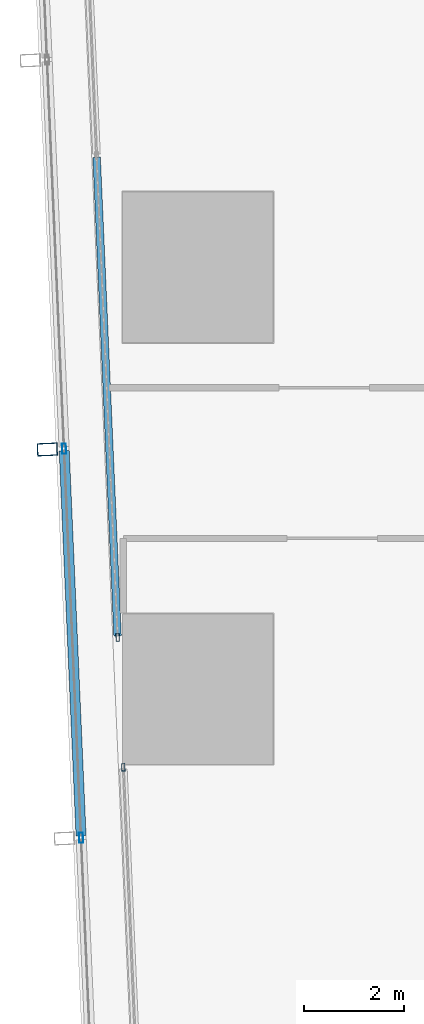
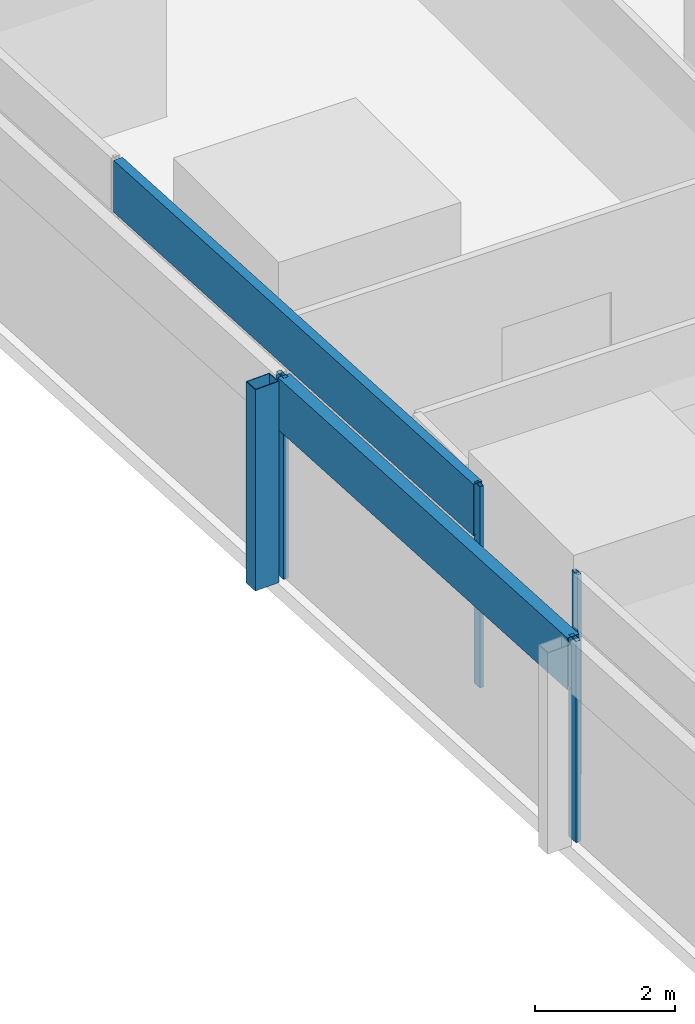
# One storey, part 7 of 45: 7 members, 3 elements without a shape of their own.
"""IFC4 building model written with IfcOpenShell, lengths in metres."""

from ifc_helpers import new_model, si_unit, direction, frame, origin, origin_2d, place, context, subcontext, project, spatial, hollow_rectangle, extrude, material, material_profile, profile_set, type_object, element, aggregate, save


model = new_model("IFC4")

# Units and contexts
model_context = context("Model", 3, precision=1e-05, world=origin(), true_north=direction((0.0, 1.0)))
body_context = subcontext(model_context, "Body", "Model", "MODEL_VIEW")
ifc_project = project(units=[si_unit("LENGTHUNIT", "METRE"), si_unit("AREAUNIT", "SQUARE_METRE"), si_unit("VOLUMEUNIT", "CUBIC_METRE"), si_unit("PLANEANGLEUNIT", "RADIAN"), si_unit("MASSUNIT", "GRAM", prefix="KILO")], contexts=[model_context])

# Site, building, storey
site_placement = place(None, origin())
site = spatial("IfcSite", under=ifc_project, at=site_placement, CompositionType="ELEMENT")
building_placement = place(site_placement, origin())
building = spatial("IfcBuilding", under=site, at=building_placement, Name="Rekha Terrace Tower", CompositionType="ELEMENT")
storey_placement = place(building_placement, frame((0.0, 0.0, 77.89990234375)))
storey = spatial("IfcBuildingStorey", under=building, at=storey_placement, Name="L19", CompositionType="ELEMENT", Elevation=77.89990234375)

# Curtain wall, member
ifc_material_1 = material(Name="Aluminium framing", Category="aluminium")
curtain_wall_type_1 = type_object("IfcCurtainWallType", Name="CW2 double skin outer glazing", PredefinedType="USERDEFINED", material=ifc_material_1)
curtain_wall_1_placement = place(storey_placement, origin())
curtain_wall_1 = element("IfcCurtainWall", 1, at=curtain_wall_1_placement, inside=storey, type_object=curtain_wall_type_1, Name="CW2 double skin outer glazing", ObjectType="DOUBLE SKIN OUTER GLAZING", PredefinedType="USERDEFINED")
ifc_material_2 = material(Name="Steel S355 with fluorocarbon finish", Category="steel")
ifc_material_profile_1 = material_profile(ifc_material_2, hollow_rectangle(XDim=0.25, YDim=0.39990234375, WallThickness=0.012451171875, at=origin_2d()), Name="RHS400x250x12.5")
ifc_profile_set_1 = profile_set([ifc_material_profile_1], Name="Steel S355 with fluorocarbon finish")
member_type_1 = type_object("IfcMemberType", Name="BL1 facade blade RHS 400 x 250", PredefinedType="USERDEFINED", material=ifc_profile_set_1)
member_1_placement = place(storey_placement, frame((5.40283203125, 29.97119140625, 0.0), z_axis=(0.0, 0.0, 1.0), x_axis=(0.04368215933, -0.999045478923, 0.0)))
member_1 = element("IfcMember", 2, at=member_1_placement, type_object=member_type_1, Name="Facade blade", ObjectType="FACADE BLADE", PredefinedType="USERDEFINED", context=body_context, shape_type="SweptSolid", body=[
    extrude(hollow_rectangle(XDim=0.25, YDim=0.39990234375, WallThickness=0.012451171875, at=origin_2d()), origin(), (0.0, 0.0, 1.0), 3.5),
])

curtain_wall_type_2 = type_object("IfcCurtainWallType", Name="CW1 double skin inner glazing", PredefinedType="USERDEFINED", material=ifc_material_1)
curtain_wall_2_placement = place(storey_placement, origin())
curtain_wall_2 = element("IfcCurtainWall", 3, at=curtain_wall_2_placement, inside=storey, type_object=curtain_wall_type_2, Name="CW1 double skin inner glazing", ObjectType="DOUBLE SKIN INNER GLAZING", PredefinedType="USERDEFINED")
ifc_material_3 = material(Name="Aluminium mullion section", Category="aluminium")
ifc_material_profile_2 = material_profile(ifc_material_3, hollow_rectangle(XDim=0.06494140625, YDim=0.14990234375, WallThickness=0.00390625, at=origin_2d()), Name="AL RHS 65x150")
ifc_profile_set_2 = profile_set([ifc_material_profile_2], Name="Aluminium mullion section")
member_type_2 = type_object("IfcMemberType", Name="CW1 mullion RHS 65 x 150", PredefinedType="MULLION", material=ifc_profile_set_2)
member_2_placement = place(storey_placement, frame((6.802734375, 26.227783203125, 0.0), z_axis=(0.0, 0.0, 1.0), x_axis=(0.999045462133, 0.04368254332, 0.0)))
member_2 = element("IfcMember", 4, at=member_2_placement, type_object=member_type_2, Name="CW1 mullion 3", PredefinedType="MULLION", context=body_context, shape_type="SweptSolid", body=[
    extrude(hollow_rectangle(XDim=0.06494140625, YDim=0.14990234375, WallThickness=0.00390625, at=origin_2d()), origin(), (0.0, 0.0, 1.0), 3.5),
])

curtain_wall_3_placement = place(storey_placement, origin())
curtain_wall_3 = element("IfcCurtainWall", 5, at=curtain_wall_3_placement, inside=storey, type_object=curtain_wall_type_2, Name="CW1 double skin inner glazing", ObjectType="DOUBLE SKIN INNER GLAZING", PredefinedType="USERDEFINED")
member_3_placement = place(storey_placement, frame((6.915771484375, 23.643310546875, 0.0), z_axis=(0.0, 0.0, 1.0), x_axis=(0.999045462129, 0.043682543407, 0.0)))
member_3 = element("IfcMember", 6, at=member_3_placement, type_object=member_type_2, Name="CW1 mullion 1", PredefinedType="MULLION", context=body_context, shape_type="SweptSolid", body=[
    extrude(hollow_rectangle(XDim=0.06494140625, YDim=0.14990234375, WallThickness=0.00390625, at=origin_2d()), origin(), (0.0, 0.0, 1.0), 3.5),
])
aggregate(curtain_wall_3, [member_3])

# Member
ifc_material_4 = material(Name="Insulated aluminium spandrel box", Category="aluminium")
ifc_material_profile_3 = material_profile(ifc_material_4, hollow_rectangle(XDim=0.14990234375, YDim=0.89990234375, WallThickness=0.0029296875, at=origin_2d()), Name="AL SPANDREL BOX 150x900")
ifc_profile_set_3 = profile_set([ifc_material_profile_3], Name="Insulated aluminium spandrel box")
member_type_3 = type_object("IfcMemberType", Name="CW1 spandrel transom 150 x 900", PredefinedType="USERDEFINED", material=ifc_profile_set_3)
member_4_placement = place(storey_placement, frame((6.384765625, 35.787109375, 3.050048828125), z_axis=(0.043677206613, -0.999045695463, 0.0), x_axis=(0.999045695463, 0.043677206613, 0.0)))
member_4 = element("IfcMember", 7, at=member_4_placement, type_object=member_type_3, Name="CW1 spandrel transom 2", ObjectType="TRANSOM", PredefinedType="USERDEFINED", context=body_context, shape_type="SweptSolid", body=[
    extrude(hollow_rectangle(XDim=0.14990234375, YDim=0.89990234375, WallThickness=0.0029296875, at=origin_2d()), origin(), (0.0, 0.0, 1.0), 9.535888671875),
])

aggregate(curtain_wall_2, [member_2, member_4])

ifc_material_profile_4 = material_profile(ifc_material_3, hollow_rectangle(XDim=0.080078125, YDim=0.199951171875, WallThickness=0.00390625, at=origin_2d()), Name="AL RHS 80x200")
ifc_profile_set_4 = profile_set([ifc_material_profile_4], Name="Aluminium mullion section")
member_type_4 = type_object("IfcMemberType", Name="CW2 mullion RHS 80 x 200", PredefinedType="MULLION", material=ifc_profile_set_4)
member_5_placement = place(storey_placement, frame((5.737548828125, 29.98583984375, 0.0), z_axis=(0.0, 0.0, 1.0), x_axis=(0.999045462131, 0.043682543372, 0.0)))
member_5 = element("IfcMember", 8, at=member_5_placement, type_object=member_type_4, Name="CW2 mullion 3", PredefinedType="MULLION", context=body_context, shape_type="SweptSolid", body=[
    extrude(hollow_rectangle(XDim=0.080078125, YDim=0.199951171875, WallThickness=0.00390625, at=origin_2d()), origin(), (0.0, 0.0, 1.0), 3.5),
])

member_6_placement = place(storey_placement, frame((6.076171875, 22.241455078125, 0.0), z_axis=(0.0, 0.0, 1.0), x_axis=(0.999045462131, 0.043682543372, 0.0)))
member_6 = element("IfcMember", 9, at=member_6_placement, type_object=member_type_4, Name="CW2 mullion 4", PredefinedType="MULLION", context=body_context, shape_type="SweptSolid", body=[
    extrude(hollow_rectangle(XDim=0.080078125, YDim=0.199951171875, WallThickness=0.00390625, at=origin_2d()), origin(), (0.0, 0.0, 1.0), 3.5),
])

ifc_material_profile_5 = material_profile(ifc_material_4, hollow_rectangle(XDim=0.199951171875, YDim=0.89990234375, WallThickness=0.0029296875, at=origin_2d()), Name="AL SPANDREL BOX 200x900")
ifc_profile_set_5 = profile_set([ifc_material_profile_5], Name="Insulated aluminium spandrel box")
member_type_5 = type_object("IfcMemberType", Name="CW2 spandrel transom 200 x 900", PredefinedType="USERDEFINED", material=ifc_profile_set_5)
member_7_placement = place(storey_placement, frame((5.7392578125, 29.94580078125, 3.050048828125), z_axis=(0.04369270591, -0.99904501773, 0.0), x_axis=(0.99904501773, 0.04369270591, 0.0)))
member_7 = element("IfcMember", 10, at=member_7_placement, type_object=member_type_5, Name="CW2 spandrel transom 3", ObjectType="TRANSOM", PredefinedType="USERDEFINED", context=body_context, shape_type="SweptSolid", body=[
    extrude(hollow_rectangle(XDim=0.199951171875, YDim=0.89990234375, WallThickness=0.0029296875, at=origin_2d()), origin(), (0.0, 0.0, 1.0), 7.671875),
])

aggregate(curtain_wall_1, [member_5, member_6, member_7, member_1])

save(model, "model.ifc")
